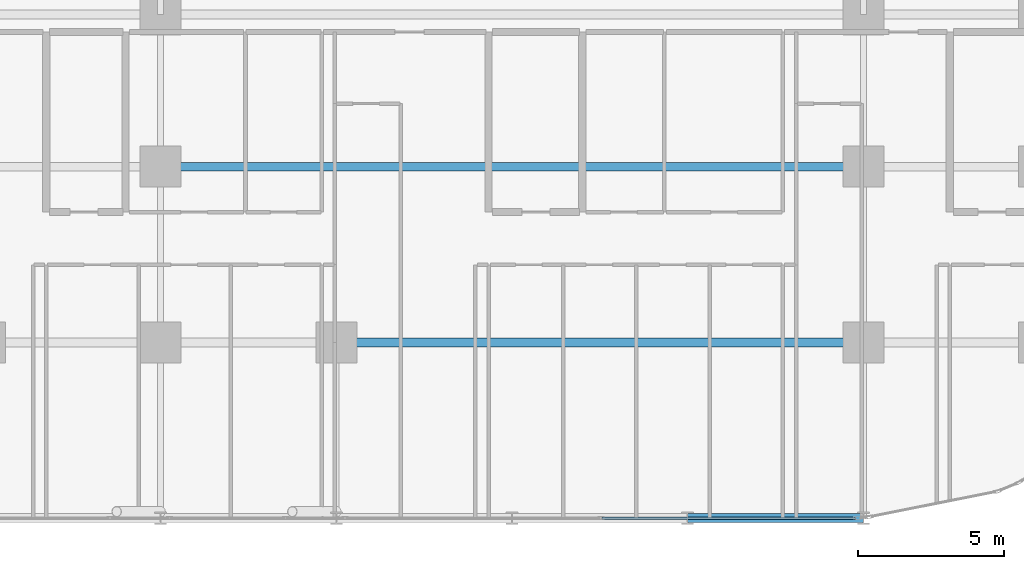
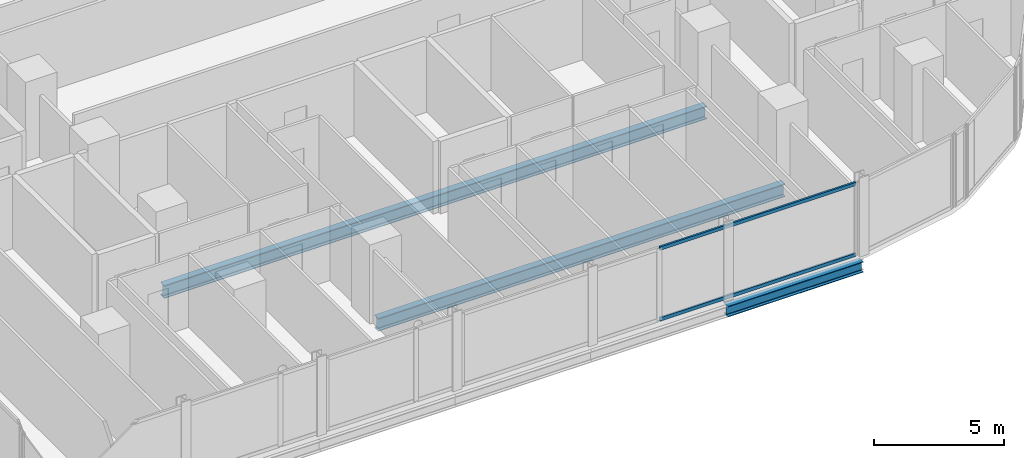
# One storey, part 8 of 33: 3 beams, 2 members, 1 element without a shape of its own.
"""IFC4 building model written with IfcOpenShell, lengths in metres."""

from ifc_helpers import new_model, si_unit, direction, frame, origin, origin_2d, place, context, subcontext, project, spatial, hollow_rectangle, i_section, extrude, material, layer, layer_set, material_profile, profile_set, type_object, element, aggregate, save


model = new_model("IFC4")

# Units and contexts
model_context = context("Model", 3, precision=1e-05, world=origin(), true_north=direction((0.0, 1.0)))
body_context = subcontext(model_context, "Body", "Model", "MODEL_VIEW")
ifc_project = project(units=[si_unit("LENGTHUNIT", "METRE"), si_unit("AREAUNIT", "SQUARE_METRE"), si_unit("VOLUMEUNIT", "CUBIC_METRE"), si_unit("PLANEANGLEUNIT", "RADIAN"), si_unit("MASSUNIT", "GRAM", prefix="KILO")], contexts=[model_context])

# Site, building, storey
site_placement = place(None, origin())
site = spatial("IfcSite", under=ifc_project, at=site_placement, CompositionType="ELEMENT")
building_placement = place(site_placement, origin())
building = spatial("IfcBuilding", under=site, at=building_placement, Name="Keshet Zoharim Tower", CompositionType="ELEMENT")
storey_placement = place(building_placement, frame((0.0, 0.0, 35.10009765625)))
storey = spatial("IfcBuildingStorey", under=building, at=storey_placement, Name="L07", CompositionType="ELEMENT", Elevation=35.10009765625)

# Beams
ifc_material_1 = material(Name="Steel S355", Category="steel")
ifc_material_profile_1 = material_profile(ifc_material_1, i_section(OverallWidth=0.300048828125, OverallDepth=0.60009765625, WebThickness=0.015380859375, FlangeThickness=0.030029296875, FilletRadius=0.027099609375, at=origin_2d()), Name="HEB600")
ifc_profile_set_1 = profile_set([ifc_material_profile_1], Name="Steel S355")
beam_type_1 = type_object("IfcBeamType", Name="BM-LNG-HB600", PredefinedType="BEAM", material=ifc_profile_set_1)
beam_1_placement = place(storey_placement, frame((39.0, 6.699951171875, -0.614990234375), z_axis=(1.0, 0.0, 0.0), x_axis=(0.0, 1.0, 0.0)))
element("IfcBeam", 1, at=beam_1_placement, inside=storey, type_object=beam_type_1, Name="L07 Primary Girder X-009", PredefinedType="BEAM", context=body_context, shape_type="SweptSolid", body=[
    extrude(i_section(OverallWidth=0.300048828125, OverallDepth=0.60009765625, WebThickness=0.015380859375, FlangeThickness=0.030029296875, FilletRadius=0.027099609375, at=origin_2d()), origin(), (0.0, 0.0, 1.0), 18.0),
])
beam_2_placement = place(storey_placement, frame((33.0, 12.699951171875, -0.614990234375), z_axis=(1.0, 0.0, 0.0), x_axis=(0.0, 1.0, 0.0)))
element("IfcBeam", 2, at=beam_2_placement, inside=storey, type_object=beam_type_1, Name="L07 Primary Girder X-012", PredefinedType="BEAM", context=body_context, shape_type="SweptSolid", body=[
    extrude(i_section(OverallWidth=0.300048828125, OverallDepth=0.60009765625, WebThickness=0.015380859375, FlangeThickness=0.030029296875, FilletRadius=0.027099609375, at=origin_2d()), origin(), (0.0, 0.0, 1.0), 24.0),
])
ifc_material_profile_2 = material_profile(ifc_material_1, i_section(OverallWidth=0.300048828125, OverallDepth=0.5, WebThickness=0.014404296875, FlangeThickness=0.028076171875, FilletRadius=0.027099609375, at=origin_2d()), Name="HEB500")
ifc_profile_set_2 = profile_set([ifc_material_profile_2], Name="Steel S355")
beam_type_2 = type_object("IfcBeamType", Name="BM-WEB-HB500", PredefinedType="BEAM", material=ifc_profile_set_2)
beam_3_placement = place(storey_placement, frame((51.0, 0.699951171875, -0.565185546875), z_axis=(1.0, 0.0, 0.0), x_axis=(0.0, 1.0, 0.0)))
element("IfcBeam", 3, at=beam_3_placement, inside=storey, type_object=beam_type_2, Name="L07 Primary Girder X-005", PredefinedType="BEAM", context=body_context, shape_type="SweptSolid", body=[
    extrude(i_section(OverallWidth=0.300048828125, OverallDepth=0.5, WebThickness=0.014404296875, FlangeThickness=0.028076171875, FilletRadius=0.027099609375, at=origin_2d()), origin(), (0.0, 0.0, 1.0), 6.0),
])

# Curtain wall, members
ifc_material_2 = material(Name="Aluminium 6063-T6", Category="aluminium")
ifc_layer = layer(ifc_material_2, 0.179931640625)
ifc_layer_set = layer_set([ifc_layer], Name="Aluminium 6063-T6")
curtain_wall_type = type_object("IfcCurtainWallType", Name="CW-SYS-01", PredefinedType="NOTDEFINED", material=ifc_layer_set)
curtain_wall_placement = place(storey_placement, origin())
curtain_wall = element("IfcCurtainWall", 4, at=curtain_wall_placement, inside=storey, type_object=curtain_wall_type, Name="L07 Unitised Curtain Wall 26", PredefinedType="NOTDEFINED")
ifc_material_profile_3 = material_profile(ifc_material_2, hollow_rectangle(XDim=0.0849609375, YDim=0.159912109375, WallThickness=0.00439453125, at=origin_2d()), Name="TRN-85x160")
ifc_profile_set_3 = profile_set([ifc_material_profile_3], Name="Aluminium 6063-T6")
member_type = type_object("IfcMemberType", Name="CWT-T16", PredefinedType="USERDEFINED", material=ifc_profile_set_3)
member_1_placement = place(storey_placement, frame((56.73291015625, 0.699951171875, 0.034912109375), z_axis=(-1.0, 0.0, 0.0), x_axis=(0.0, -1.0, 0.0)))
member_1 = element("IfcMember", 5, at=member_1_placement, type_object=member_type, Name="CW-01 transom 1.1", ObjectType="TRANSOM", PredefinedType="USERDEFINED", context=body_context, shape_type="SweptSolid", body=[
    extrude(hollow_rectangle(XDim=0.0849609375, YDim=0.159912109375, WallThickness=0.00439453125, at=origin_2d()), origin(), (0.0, 0.0, 1.0), 8.6650390625),
])
member_2_placement = place(storey_placement, frame((56.73291015625, 0.699951171875, 3.349853515625), z_axis=(-1.0, 0.0, 0.0), x_axis=(0.0, -1.0, 0.0)))
member_2 = element("IfcMember", 6, at=member_2_placement, type_object=member_type, Name="CW-01 transom 1.2", ObjectType="TRANSOM", PredefinedType="USERDEFINED", context=body_context, shape_type="SweptSolid", body=[
    extrude(hollow_rectangle(XDim=0.0849609375, YDim=0.159912109375, WallThickness=0.00439453125, at=origin_2d()), origin(), (0.0, 0.0, 1.0), 8.6650390625),
])
aggregate(curtain_wall, [member_1, member_2])

save(model, "model.ifc")
